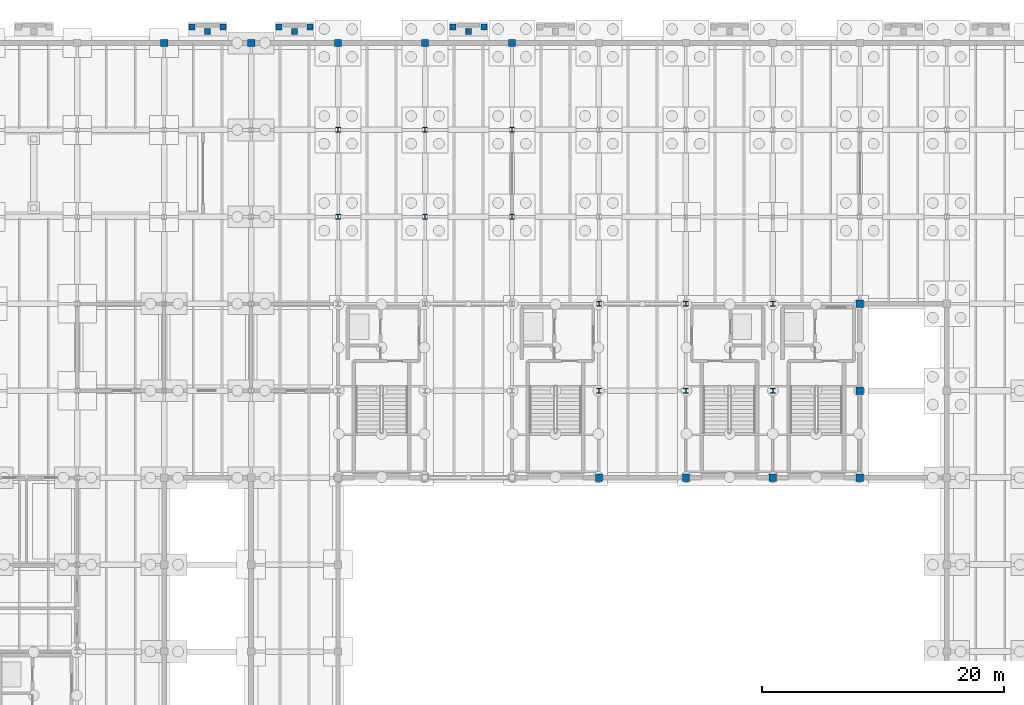
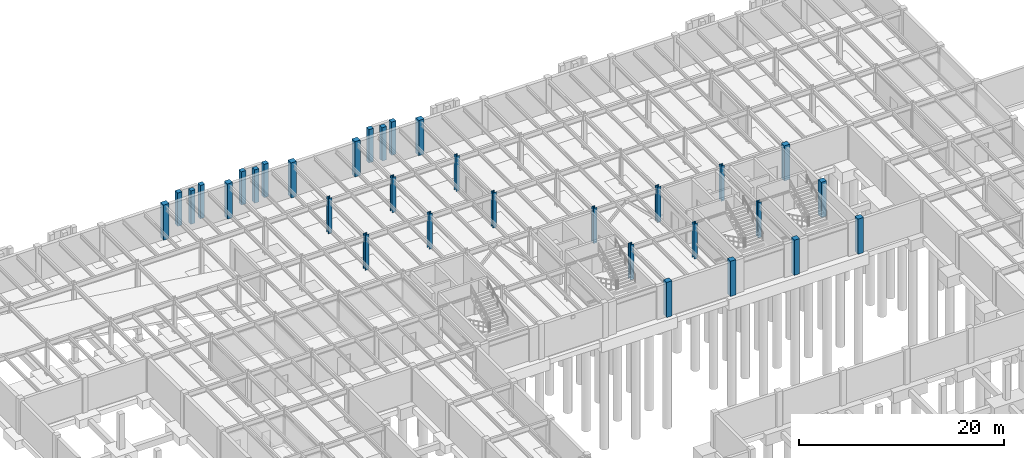
# One storey, part 16 of 46: 32 columns.
"""IFC4 building model written with IfcOpenShell, lengths in metres."""

from ifc_helpers import new_model, si_unit, direction, frame, origin, origin_2d, place, context, subcontext, project, spatial, rectangle, i_section, extrude, material, material_profile, profile_set, type_object, element, save


model = new_model("IFC4")

# Units and contexts
model_context = context("Model", 3, precision=1e-05, world=origin(), true_north=direction((0.0, 1.0)))
body_context = subcontext(model_context, "Body", "Model", "MODEL_VIEW")
ifc_project = project(units=[si_unit("LENGTHUNIT", "METRE"), si_unit("AREAUNIT", "SQUARE_METRE"), si_unit("VOLUMEUNIT", "CUBIC_METRE"), si_unit("PLANEANGLEUNIT", "RADIAN"), si_unit("MASSUNIT", "GRAM", prefix="KILO")], contexts=[model_context])

# Site, building, storey
site_placement = place(None, origin())
site = spatial("IfcSite", under=ifc_project, at=site_placement, CompositionType="ELEMENT")
building_placement = place(site_placement, origin())
building = spatial("IfcBuilding", under=site, at=building_placement, Name="Sillqori Civic Hall", CompositionType="ELEMENT")
storey_placement = place(building_placement, frame((0.0, 0.0, -4.199951171875)))
storey = spatial("IfcBuildingStorey", under=building, at=storey_placement, Name="B01", CompositionType="ELEMENT", Elevation=-4.199951171875)

# Columns
ifc_material_1 = material(Name="Concrete C35/45 (H35)", Category="concrete")
ifc_material_profile_1 = material_profile(ifc_material_1, rectangle(XDim=0.5, YDim=0.5, at=origin_2d()), Name="RC 500x500")
ifc_profile_set_1 = profile_set([ifc_material_profile_1], Name="Concrete C35/45 (H35)")
column_type_1 = type_object("IfcColumnType", Name="COL-RC500", PredefinedType="COLUMN", material=ifc_profile_set_1)
for number, where, z_axis, x_axis, name in (
    (1, (38.320068359375, 116.52001953125, 0.0), (0.0, 0.0, 1.0), (1.0, 0.0, 0.0), "North Civic Garden Promenade Exit subgrade pier 1"),
    (2, (40.8798828125, 116.52001953125, 0.0), (0.0, 0.0, 1.0), (1.0, 0.0, 0.0), "North Civic Garden Promenade Exit subgrade pier 2"),
    (3, (39.60009765625, 116.159912109375, 0.0), (0.0, 0.0, 1.0), (1.0, 0.0, 0.0), "North Civic Garden Promenade Exit subgrade pier 3"),
    (4, (45.52001953125, 116.52001953125, 0.0), (0.0, 0.0, 1.0), (1.0, 0.0, 0.0), "North Civic Garden Core C5 Exit subgrade pier 1"),
    (5, (48.080078125, 116.52001953125, 0.0), (0.0, 0.0, 1.0), (1.0, 0.0, 0.0), "North Civic Garden Core C5 Exit subgrade pier 2"),
    (6, (46.800048828125, 116.159912109375, 0.0), (0.0, 0.0, 1.0), (1.0, 0.0, 0.0), "North Civic Garden Core C5 Exit subgrade pier 3"),
    (7, (59.919921875, 116.52001953125, 0.0), (0.0, 0.0, 1.0), (1.0, 0.0, 0.0), "North Civic Garden Core C6 Exit subgrade pier 1"),
    (8, (62.47998046875, 116.52001953125, 0.0), (0.0, 0.0, 1.0), (1.0, 0.0, 0.0), "North Civic Garden Core C6 Exit subgrade pier 2"),
    (9, (61.199951171875, 116.159912109375, 0.0), (0.0, 0.0, 1.0), (1.0, 0.0, 0.0), "North Civic Garden Core C6 Exit subgrade pier 3"),
):
    element("IfcColumn", number, at=place(storey_placement, frame(where, z_axis=z_axis, x_axis=x_axis)), inside=storey, type_object=column_type_1, Name=name, PredefinedType="COLUMN", context=body_context, shape_type="SweptSolid", body=[
        extrude(rectangle(XDim=0.5, YDim=0.5, at=origin_2d()), origin(), (0.0, 0.0, 1.0), 3.97998046875),
    ])
ifc_material_profile_2 = material_profile(ifc_material_1, rectangle(XDim=0.60009765625, YDim=0.60009765625, at=origin_2d()), Name="RC 600x600")
ifc_profile_set_2 = profile_set([ifc_material_profile_2], Name="Concrete C35/45 (H35)")
column_type_2 = type_object("IfcColumnType", Name="COL-RC600", PredefinedType="COLUMN", material=ifc_profile_set_2)
for number, where, z_axis, x_axis, name in (
    (10, (36.0, 115.199951171875, 0.0), (0.0, 0.0, 1.0), (1.0, 0.0, 0.0), "B01 column 5-16"),
    (11, (43.199951171875, 115.199951171875, 0.0), (0.0, 0.0, 1.0), (1.0, 0.0, 0.0), "B01 column 6-16"),
    (12, (50.39990234375, 115.199951171875, 0.0), (0.0, 0.0, 1.0), (1.0, 0.0, 0.0), "B01 column 7-16"),
    (13, (57.60009765625, 115.199951171875, 0.0), (0.0, 0.0, 1.0), (1.0, 0.0, 0.0), "B01 column 8-16"),
    (14, (64.800048828125, 115.199951171875, 0.0), (0.0, 0.0, 1.0), (1.0, 0.0, 0.0), "B01 column 9-16"),
    (15, (72.0, 79.199951171875, 0.0), (0.0, 0.0, 1.0), (1.0, 0.0, 0.0), "B01 column 10-11"),
    (16, (79.199951171875, 79.199951171875, 0.0), (0.0, 0.0, 1.0), (1.0, 0.0, 0.0), "B01 column 11-11"),
    (17, (86.39990234375, 79.199951171875, 0.0), (0.0, 0.0, 1.0), (1.0, 0.0, 0.0), "B01 column 12-11"),
    (18, (93.60009765625, 79.199951171875, 0.0), (0.0, 0.0, 1.0), (1.0, 0.0, 0.0), "B01 column 13-11"),
    (19, (93.60009765625, 86.39990234375, 0.0), (0.0, 0.0, 1.0), (1.0, 0.0, 0.0), "B01 column 13-12"),
    (20, (93.60009765625, 93.60009765625, 0.0), (0.0, 0.0, 1.0), (1.0, 0.0, 0.0), "B01 column 13-13"),
):
    element("IfcColumn", number, at=place(storey_placement, frame(where, z_axis=z_axis, x_axis=x_axis)), inside=storey, type_object=column_type_2, Name=name, PredefinedType="COLUMN", context=body_context, shape_type="SweptSolid", body=[
        extrude(rectangle(XDim=0.60009765625, YDim=0.60009765625, at=origin_2d()), origin(), (0.0, 0.0, 1.0), 4.199951171875),
    ])
ifc_material_2 = material(Name="Steel ASTM A992", Category="steel")
ifc_material_profile_3 = material_profile(ifc_material_2, i_section(OverallWidth=0.404052734375, OverallDepth=0.406005859375, WebThickness=0.027099609375, FlangeThickness=0.043701171875, FilletRadius=0.014892578125, at=origin_2d()), Name="W14X233")
ifc_profile_set_3 = profile_set([ifc_material_profile_3], Name="Steel ASTM A992")
column_type_3 = type_object("IfcColumnType", Name="COL-W14X233", PredefinedType="COLUMN", material=ifc_profile_set_3)
for number, where, z_axis, x_axis, name in (
    (21, (50.39990234375, 100.800048828125, 0.0), (0.0, 0.0, 1.0), (1.0, 0.0, 0.0), "B01 column 7-14"),
    (22, (50.39990234375, 108.0, 0.0), (0.0, 0.0, 1.0), (1.0, 0.0, 0.0), "B01 column 7-15"),
    (23, (57.60009765625, 100.800048828125, 0.0), (0.0, 0.0, 1.0), (1.0, 0.0, 0.0), "B01 column 8-14"),
    (24, (57.60009765625, 108.0, 0.0), (0.0, 0.0, 1.0), (1.0, 0.0, 0.0), "B01 column 8-15"),
    (25, (64.800048828125, 100.800048828125, 0.0), (0.0, 0.0, 1.0), (1.0, 0.0, 0.0), "B01 column 9-14"),
    (26, (64.800048828125, 108.0, 0.0), (0.0, 0.0, 1.0), (1.0, 0.0, 0.0), "B01 column 9-15"),
    (27, (72.0, 86.39990234375, 0.0), (0.0, 0.0, 1.0), (1.0, 0.0, 0.0), "B01 column 10-12"),
    (28, (72.0, 93.60009765625, 0.0), (0.0, 0.0, 1.0), (1.0, 0.0, 0.0), "B01 column 10-13"),
    (29, (79.199951171875, 86.39990234375, 0.0), (0.0, 0.0, 1.0), (1.0, 0.0, 0.0), "B01 column 11-12"),
    (30, (79.199951171875, 93.60009765625, 0.0), (0.0, 0.0, 1.0), (1.0, 0.0, 0.0), "B01 column 11-13"),
    (31, (86.39990234375, 86.39990234375, 0.0), (0.0, 0.0, 1.0), (1.0, 0.0, 0.0), "B01 column 12-12"),
    (32, (86.39990234375, 93.60009765625, 0.0), (0.0, 0.0, 1.0), (1.0, 0.0, 0.0), "B01 column 12-13"),
):
    element("IfcColumn", number, at=place(storey_placement, frame(where, z_axis=z_axis, x_axis=x_axis)), inside=storey, type_object=column_type_3, Name=name, PredefinedType="COLUMN", context=body_context, shape_type="SweptSolid", body=[
        extrude(i_section(OverallWidth=0.404052734375, OverallDepth=0.406005859375, WebThickness=0.027099609375, FlangeThickness=0.043701171875, FilletRadius=0.014892578125, at=origin_2d()), origin(), (0.0, 0.0, 1.0), 4.199951171875),
    ])

save(model, "model.ifc")
